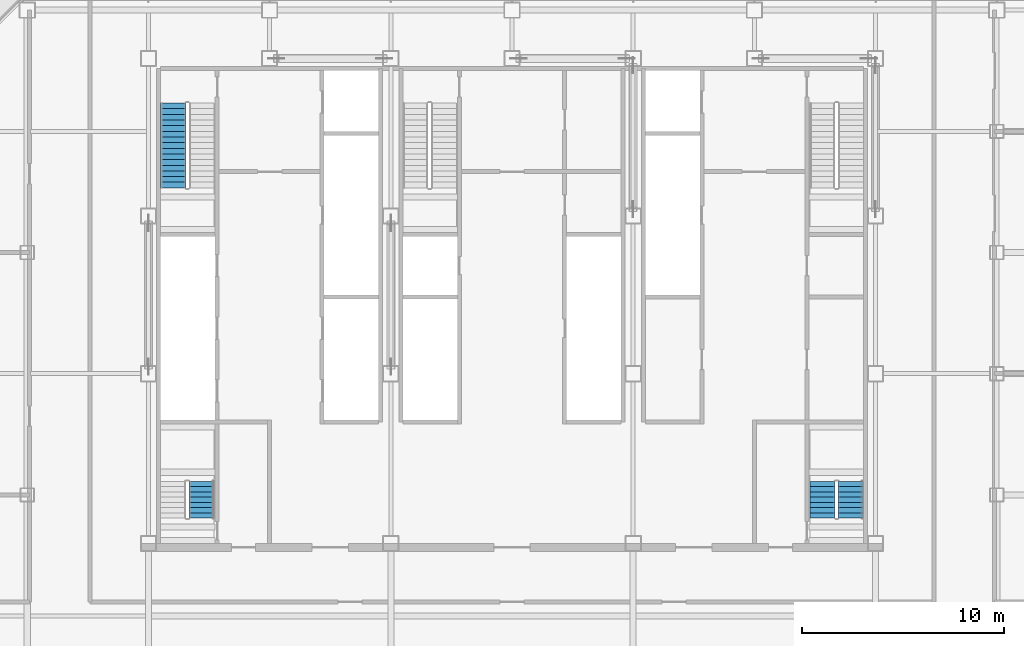
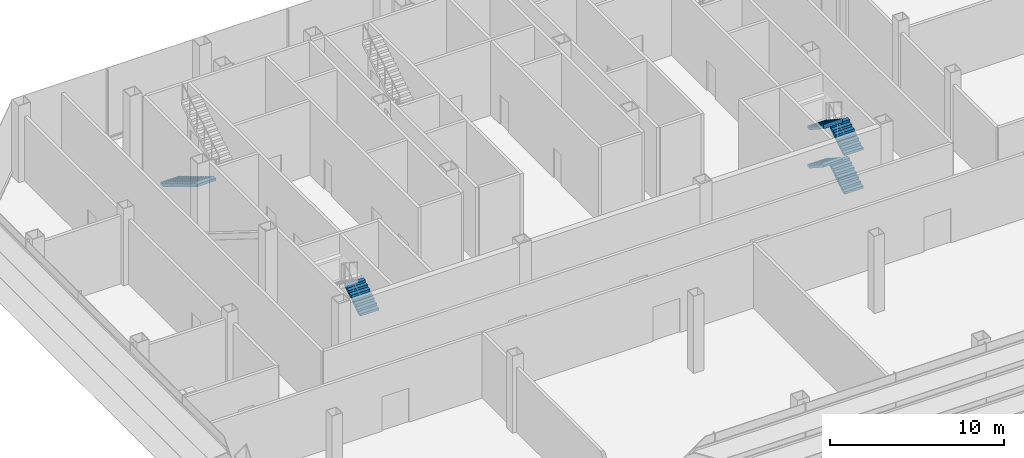
# One storey, part 19 of 23: 6 stair flights, 3 elements without a shape of their own.
"""IFC4 building model written with IfcOpenShell, lengths in metres."""

from ifc_helpers import new_model, si_unit, direction, frame, origin, place, context, subcontext, project, spatial, polyline, outline, extrude, material, type_object, element, aggregate, save


model = new_model("IFC4")

# Units and contexts
model_context = context("Model", 3, precision=1e-05, world=origin(), true_north=direction((0.0, 1.0)))
body_context = subcontext(model_context, "Body", "Model", "MODEL_VIEW")
ifc_project = project(units=[si_unit("LENGTHUNIT", "METRE"), si_unit("AREAUNIT", "SQUARE_METRE"), si_unit("VOLUMEUNIT", "CUBIC_METRE"), si_unit("PLANEANGLEUNIT", "RADIAN"), si_unit("MASSUNIT", "GRAM", prefix="KILO")], contexts=[model_context])

# Site, building, storey
site_placement = place(None, origin())
site = spatial("IfcSite", under=ifc_project, at=site_placement, CompositionType="ELEMENT")
building_placement = place(site_placement, origin())
building = spatial("IfcBuilding", under=site, at=building_placement, Name="Sorahane Residences", CompositionType="ELEMENT")
storey_placement = place(building_placement, frame((0.0, 0.0, 114.199951171875)))
storey = spatial("IfcBuildingStorey", under=building, at=storey_placement, Name="L25", CompositionType="ELEMENT", Elevation=114.199951171875)

# Stair, stair flight
ifc_material_1 = material(Name="Concrete C40", Category="concrete")
stair_type = type_object("IfcStairType", Name="Dog-leg stair 1250 Concrete C40", PredefinedType="HALF_TURN_STAIR", material=ifc_material_1)
stair_1_placement = place(storey_placement, origin())
stair_1 = element("IfcStair", 1, at=stair_1_placement, inside=storey, type_object=stair_type, Name="L25 Stair S1", PredefinedType="HALF_TURN_STAIR")
ifc_material_2 = material(Name="Concrete C40", Category="concrete")
stair_flight_type = type_object("IfcStairFlightType", Name="Stair flight 1250 Concrete C40", PredefinedType="STRAIGHT", material=ifc_material_2)
stair_flight_1_placement = place(storey_placement, frame((7.22509765625, 43.39990234375, 0.0), z_axis=(0.0, 0.0, 1.0), x_axis=(0.0, -1.0, 0.0)))
stair_flight_1 = element("IfcStairFlight", 2, at=stair_flight_1_placement, type_object=stair_flight_type, Name="S1 flight 1", NumberOfRisers=16, NumberOfTreads=15, PredefinedType="STRAIGHT", RiserHeight=0.16875, TreadLength=0.28, context=body_context, shape_type="SweptSolid", body=[
    extrude(outline(polyline([(-0.00146484375, 0.0), (-0.00146484375, 0.168701171875), (0.0, 0.168701171875), (0.280029296875, 0.168701171875), (0.280029296875, 0.33740234375), (0.56005859375, 0.33740234375), (0.56005859375, 0.50634765625), (0.840087890625, 0.50634765625), (0.840087890625, 0.675048828125), (1.1201171875, 0.675048828125), (1.1201171875, 0.84375), (1.39990234375, 0.84375), (1.39990234375, 1.012451171875), (1.679931640625, 1.012451171875), (1.679931640625, 1.18115234375), (1.9599609375, 1.18115234375), (1.9599609375, 1.35009765625), (2.239990234375, 1.35009765625), (2.239990234375, 1.518798828125), (2.52001953125, 1.518798828125), (2.52001953125, 1.6875), (2.800048828125, 1.6875), (2.800048828125, 1.856201171875), (3.080078125, 1.856201171875), (3.080078125, 2.02490234375), (3.360107421875, 2.02490234375), (3.360107421875, 2.19384765625), (3.639892578125, 2.19384765625), (3.639892578125, 2.362548828125), (3.919921875, 2.362548828125), (3.919921875, 2.53125), (4.199951171875, 2.53125), (4.199951171875, 2.699951171875), (4.199951171875, 2.356201171875), (3.969970703125, 2.217529296875), (3.739990234375, 2.0791015625), (3.510009765625, 1.9404296875), (3.280029296875, 1.8017578125), (3.050048828125, 1.663330078125), (2.820068359375, 1.524658203125), (2.590087890625, 1.385986328125), (2.360107421875, 1.247314453125), (2.130126953125, 1.10888671875), (1.900146484375, 0.97021484375), (1.670166015625, 0.83154296875), (1.440185546875, 0.693115234375), (1.210205078125, 0.554443359375), (0.980224609375, 0.415771484375), (0.750244140625, 0.277099609375), (0.520263671875, 0.138671875), (0.29052734375, 0.0), (-0.00146484375, 0.0)])), frame((0.0, 0.625, 0.0), z_axis=(0.0, -1.0, 0.0), x_axis=(1.0, 0.0, 0.0)), (0.0, 0.0, 1.0), 1.25),
])
aggregate(stair_1, [stair_flight_1])

stair_2_placement = place(storey_placement, origin())
stair_2 = element("IfcStair", 3, at=stair_2_placement, inside=storey, type_object=stair_type, Name="L25 Stair S4", PredefinedType="HALF_TURN_STAIR")
stair_flight_2_placement = place(storey_placement, frame((8.625, 22.85009765625, 2.699951171875), z_axis=(0.0, 0.0, 1.0), x_axis=(0.0, 1.0, 0.0)))
stair_flight_2 = element("IfcStairFlight", 4, at=stair_flight_2_placement, type_object=stair_flight_type, Name="S4 flight 3", NumberOfRisers=8, NumberOfTreads=7, PredefinedType="STRAIGHT", RiserHeight=0.16875, TreadLength=0.26, context=body_context, shape_type="SweptSolid", body=[
    extrude(outline(polyline([(0.0, 0.0), (0.0, 0.002197265625), (0.0, 0.004150390625), (0.0, 0.00634765625), (0.0, 0.00830078125), (0.0, 0.010498046875), (0.0, 0.012451171875), (0.0, 0.0146484375), (0.0, 0.0166015625), (0.0, 0.018798828125), (0.0, 0.020751953125), (0.0, 0.02294921875), (0.0, 0.02490234375), (0.0, 0.027099609375), (0.0, 0.029052734375), (0.0, 0.03125), (0.0, 0.033447265625), (0.0, 0.035400390625), (0.0, 0.03759765625), (0.0, 0.03955078125), (0.0, 0.041748046875), (0.0, 0.043701171875), (0.0, 0.0458984375), (0.0, 0.0478515625), (0.0, 0.050048828125), (0.0, 0.052001953125), (0.0, 0.05419921875), (0.0, 0.05615234375), (0.0, 0.058349609375), (0.0, 0.060302734375), (0.0, 0.0625), (0.0, 0.064697265625), (0.0, 0.066650390625), (0.0, 0.06884765625), (0.0, 0.07080078125), (0.0, 0.072998046875), (0.0, 0.074951171875), (0.0, 0.0771484375), (0.0, 0.0791015625), (0.0, 0.081298828125), (0.0, 0.083251953125), (0.0, 0.08544921875), (0.0, 0.08740234375), (0.0, 0.089599609375), (0.0, 0.091552734375), (0.0, 0.09375), (0.0, 0.095947265625), (0.0, 0.097900390625), (0.0, 0.10009765625), (0.0, 0.10205078125), (0.0, 0.104248046875), (0.0, 0.106201171875), (0.0, 0.1083984375), (0.0, 0.1103515625), (0.0, 0.112548828125), (0.0, 0.114501953125), (0.0, 0.11669921875), (0.0, 0.11865234375), (0.0, 0.120849609375), (0.0, 0.122802734375), (0.0, 0.125), (0.0, 0.127197265625), (0.0, 0.129150390625), (0.0, 0.13134765625), (0.0, 0.13330078125), (0.0, 0.135498046875), (0.0, 0.137451171875), (0.0, 0.1396484375), (0.0, 0.1416015625), (0.0, 0.143798828125), (0.0, 0.145751953125), (0.0, 0.14794921875), (0.0, 0.14990234375), (0.0, 0.152099609375), (0.0, 0.154052734375), (0.0, 0.15625), (0.0, 0.158447265625), (0.0, 0.160400390625), (0.0, 0.16259765625), (0.0, 0.16455078125), (0.0, 0.166748046875), (0.0, 0.168701171875), (0.260009765625, 0.168701171875), (0.260009765625, 0.33740234375), (0.52001953125, 0.33740234375), (0.52001953125, 0.50634765625), (0.780029296875, 0.50634765625), (0.780029296875, 0.675048828125), (1.0400390625, 0.675048828125), (1.0400390625, 0.84375), (1.300048828125, 0.84375), (1.300048828125, 1.012451171875), (1.56005859375, 1.012451171875), (1.56005859375, 1.18115234375), (1.820068359375, 1.18115234375), (1.820068359375, 1.35009765625), (1.820068359375, 1.34619140625), (1.820068359375, 1.34228515625), (1.820068359375, 1.33837890625), (1.820068359375, 1.334716796875), (1.820068359375, 1.330810546875), (1.820068359375, 1.326904296875), (1.820068359375, 1.322998046875), (1.820068359375, 1.319091796875), (1.820068359375, 1.3154296875), (1.820068359375, 1.3115234375), (1.820068359375, 1.3076171875), (1.820068359375, 1.3037109375), (1.820068359375, 1.300048828125), (1.820068359375, 1.296142578125), (1.820068359375, 1.292236328125), (1.820068359375, 1.288330078125), (1.820068359375, 1.284423828125), (1.820068359375, 1.28076171875), (1.820068359375, 1.27685546875), (1.820068359375, 1.27294921875), (1.820068359375, 1.26904296875), (1.820068359375, 1.265380859375), (1.820068359375, 1.261474609375), (1.820068359375, 1.257568359375), (1.820068359375, 1.253662109375), (1.820068359375, 1.249755859375), (1.820068359375, 1.24609375), (1.820068359375, 1.2421875), (1.820068359375, 1.23828125), (1.820068359375, 1.234375), (1.820068359375, 1.230712890625), (1.820068359375, 1.226806640625), (1.820068359375, 1.222900390625), (1.820068359375, 1.218994140625), (1.820068359375, 1.215087890625), (1.820068359375, 1.21142578125), (1.820068359375, 1.20751953125), (1.820068359375, 1.20361328125), (1.820068359375, 1.19970703125), (1.820068359375, 1.196044921875), (1.820068359375, 1.192138671875), (1.820068359375, 1.188232421875), (1.820068359375, 1.184326171875), (1.820068359375, 1.1806640625), (1.820068359375, 1.1767578125), (1.820068359375, 1.1728515625), (1.820068359375, 1.1689453125), (1.820068359375, 1.1650390625), (1.820068359375, 1.161376953125), (1.820068359375, 1.157470703125), (1.820068359375, 1.153564453125), (1.820068359375, 1.149658203125), (1.820068359375, 1.14599609375), (1.820068359375, 1.14208984375), (1.820068359375, 1.13818359375), (1.820068359375, 1.13427734375), (1.820068359375, 1.13037109375), (1.820068359375, 1.126708984375), (1.820068359375, 1.122802734375), (1.820068359375, 1.118896484375), (1.820068359375, 1.114990234375), (1.820068359375, 1.111328125), (1.820068359375, 1.107421875), (1.820068359375, 1.103515625), (1.820068359375, 1.099609375), (1.820068359375, 1.095703125), (1.820068359375, 1.092041015625), (1.820068359375, 1.088134765625), (1.820068359375, 1.084228515625), (1.820068359375, 1.080322265625), (1.820068359375, 1.07666015625), (1.820068359375, 1.07275390625), (1.820068359375, 1.06884765625), (1.820068359375, 1.06494140625), (1.820068359375, 1.061279296875), (1.820068359375, 1.057373046875), (1.820068359375, 1.053466796875), (1.820068359375, 1.049560546875), (1.820068359375, 1.045654296875), (1.820068359375, 1.0419921875), (1.820068359375, 1.0380859375), (1.6201171875, 0.908203125), (1.420166015625, 0.778564453125), (1.22021484375, 0.648681640625), (1.020263671875, 0.51904296875), (0.8203125, 0.38916015625), (0.620361328125, 0.259521484375), (0.420654296875, 0.129638671875), (0.220703125, 0.0), (0.0, 0.0)])), frame((0.0, 0.625, 0.0), z_axis=(0.0, -1.0, 0.0), x_axis=(1.0, 0.0, 0.0)), (0.0, 0.0, 1.0), 1.25),
])
aggregate(stair_2, [stair_flight_2])

# Stair, stair flights
stair_3_placement = place(storey_placement, origin())
stair_3 = element("IfcStair", 5, at=stair_3_placement, inside=storey, type_object=stair_type, Name="L25 Stair S5", PredefinedType="HALF_TURN_STAIR")
stair_flight_3_placement = place(storey_placement, frame((40.77490234375, 22.85009765625, 0.0), z_axis=(0.0, 0.0, 1.0), x_axis=(0.0, 1.0, 0.0)))
stair_flight_3 = element("IfcStairFlight", 6, at=stair_flight_3_placement, type_object=stair_flight_type, Name="S5 flight 1", NumberOfRisers=8, NumberOfTreads=7, PredefinedType="STRAIGHT", RiserHeight=0.16875, TreadLength=0.26, context=body_context, shape_type="SweptSolid", body=[
    extrude(outline(polyline([(-0.00146484375, 0.0), (-0.00146484375, 0.002197265625), (-0.00146484375, 0.004150390625), (-0.00146484375, 0.00634765625), (-0.00146484375, 0.00830078125), (-0.00146484375, 0.010498046875), (-0.00146484375, 0.012451171875), (-0.00146484375, 0.0146484375), (-0.00146484375, 0.0166015625), (-0.00146484375, 0.018798828125), (-0.00146484375, 0.020751953125), (-0.00146484375, 0.02294921875), (-0.00146484375, 0.02490234375), (-0.00146484375, 0.027099609375), (-0.00146484375, 0.029052734375), (-0.00146484375, 0.03125), (-0.00146484375, 0.033447265625), (-0.00146484375, 0.035400390625), (-0.00146484375, 0.03759765625), (-0.00146484375, 0.03955078125), (-0.00146484375, 0.041748046875), (-0.00146484375, 0.043701171875), (-0.00146484375, 0.0458984375), (-0.00146484375, 0.0478515625), (-0.00146484375, 0.050048828125), (-0.00146484375, 0.052001953125), (-0.00146484375, 0.05419921875), (-0.00146484375, 0.05615234375), (-0.00146484375, 0.058349609375), (-0.00146484375, 0.060302734375), (-0.00146484375, 0.0625), (-0.00146484375, 0.064697265625), (-0.00146484375, 0.066650390625), (-0.00146484375, 0.06884765625), (-0.00146484375, 0.07080078125), (-0.00146484375, 0.072998046875), (-0.00146484375, 0.074951171875), (-0.00146484375, 0.0771484375), (-0.00146484375, 0.0791015625), (-0.00146484375, 0.081298828125), (-0.00146484375, 0.083251953125), (-0.00146484375, 0.08544921875), (-0.00146484375, 0.08740234375), (-0.00146484375, 0.089599609375), (-0.00146484375, 0.091552734375), (-0.00146484375, 0.09375), (-0.00146484375, 0.095947265625), (-0.00146484375, 0.097900390625), (-0.00146484375, 0.10009765625), (-0.00146484375, 0.10205078125), (-0.00146484375, 0.104248046875), (-0.00146484375, 0.106201171875), (-0.00146484375, 0.1083984375), (-0.00146484375, 0.1103515625), (-0.00146484375, 0.112548828125), (-0.00146484375, 0.114501953125), (-0.00146484375, 0.11669921875), (-0.00146484375, 0.11865234375), (-0.00146484375, 0.120849609375), (-0.00146484375, 0.122802734375), (-0.00146484375, 0.125), (-0.00146484375, 0.127197265625), (-0.00146484375, 0.129150390625), (-0.00146484375, 0.13134765625), (-0.00146484375, 0.13330078125), (-0.00146484375, 0.135498046875), (-0.00146484375, 0.137451171875), (-0.00146484375, 0.1396484375), (-0.00146484375, 0.1416015625), (-0.00146484375, 0.143798828125), (-0.00146484375, 0.145751953125), (-0.00146484375, 0.14794921875), (-0.00146484375, 0.14990234375), (-0.00146484375, 0.152099609375), (-0.00146484375, 0.154052734375), (-0.00146484375, 0.15625), (-0.00146484375, 0.158447265625), (-0.00146484375, 0.160400390625), (-0.00146484375, 0.16259765625), (-0.00146484375, 0.16455078125), (-0.00146484375, 0.166748046875), (-0.00146484375, 0.168701171875), (0.0, 0.168701171875), (0.260009765625, 0.168701171875), (0.260009765625, 0.33740234375), (0.52001953125, 0.33740234375), (0.52001953125, 0.50634765625), (0.780029296875, 0.50634765625), (0.780029296875, 0.675048828125), (1.0400390625, 0.675048828125), (1.0400390625, 0.84375), (1.300048828125, 0.84375), (1.300048828125, 1.012451171875), (1.56005859375, 1.012451171875), (1.56005859375, 1.18115234375), (1.820068359375, 1.18115234375), (1.820068359375, 1.35009765625), (1.820068359375, 1.34619140625), (1.820068359375, 1.34228515625), (1.820068359375, 1.33837890625), (1.820068359375, 1.334716796875), (1.820068359375, 1.330810546875), (1.820068359375, 1.326904296875), (1.820068359375, 1.322998046875), (1.820068359375, 1.319091796875), (1.820068359375, 1.3154296875), (1.820068359375, 1.3115234375), (1.820068359375, 1.3076171875), (1.820068359375, 1.3037109375), (1.820068359375, 1.300048828125), (1.820068359375, 1.296142578125), (1.820068359375, 1.292236328125), (1.820068359375, 1.288330078125), (1.820068359375, 1.284423828125), (1.820068359375, 1.28076171875), (1.820068359375, 1.27685546875), (1.820068359375, 1.27294921875), (1.820068359375, 1.26904296875), (1.820068359375, 1.265380859375), (1.820068359375, 1.261474609375), (1.820068359375, 1.257568359375), (1.820068359375, 1.253662109375), (1.820068359375, 1.249755859375), (1.820068359375, 1.24609375), (1.820068359375, 1.2421875), (1.820068359375, 1.23828125), (1.820068359375, 1.234375), (1.820068359375, 1.230712890625), (1.820068359375, 1.226806640625), (1.820068359375, 1.222900390625), (1.820068359375, 1.218994140625), (1.820068359375, 1.215087890625), (1.820068359375, 1.21142578125), (1.820068359375, 1.20751953125), (1.820068359375, 1.20361328125), (1.820068359375, 1.19970703125), (1.820068359375, 1.196044921875), (1.820068359375, 1.192138671875), (1.820068359375, 1.188232421875), (1.820068359375, 1.184326171875), (1.820068359375, 1.1806640625), (1.820068359375, 1.1767578125), (1.820068359375, 1.1728515625), (1.820068359375, 1.1689453125), (1.820068359375, 1.1650390625), (1.820068359375, 1.161376953125), (1.820068359375, 1.157470703125), (1.820068359375, 1.153564453125), (1.820068359375, 1.149658203125), (1.820068359375, 1.14599609375), (1.820068359375, 1.14208984375), (1.820068359375, 1.13818359375), (1.820068359375, 1.13427734375), (1.820068359375, 1.13037109375), (1.820068359375, 1.126708984375), (1.820068359375, 1.122802734375), (1.820068359375, 1.118896484375), (1.820068359375, 1.114990234375), (1.820068359375, 1.111328125), (1.820068359375, 1.107421875), (1.820068359375, 1.103515625), (1.820068359375, 1.099609375), (1.820068359375, 1.095703125), (1.820068359375, 1.092041015625), (1.820068359375, 1.088134765625), (1.820068359375, 1.084228515625), (1.820068359375, 1.080322265625), (1.820068359375, 1.07666015625), (1.820068359375, 1.07275390625), (1.820068359375, 1.06884765625), (1.820068359375, 1.06494140625), (1.820068359375, 1.061279296875), (1.820068359375, 1.057373046875), (1.820068359375, 1.053466796875), (1.820068359375, 1.049560546875), (1.820068359375, 1.045654296875), (1.820068359375, 1.0419921875), (1.820068359375, 1.0380859375), (1.642333984375, 0.922607421875), (1.464599609375, 0.807373046875), (1.286865234375, 0.692138671875), (1.109130859375, 0.57666015625), (0.931396484375, 0.46142578125), (0.753662109375, 0.345947265625), (0.575927734375, 0.230712890625), (0.3984375, 0.115234375), (0.220703125, 0.0), (-0.00146484375, 0.0)])), frame((0.0, 0.625, 0.0), z_axis=(0.0, -1.0, 0.0), x_axis=(1.0, 0.0, 0.0)), (0.0, 0.0, 1.0), 1.25),
])
stair_flight_4_placement = place(storey_placement, frame((39.375, 24.669921875, 1.35009765625), z_axis=(0.0, 0.0, 1.0), x_axis=(0.0, -1.0, 0.0)))
stair_flight_4 = element("IfcStairFlight", 7, at=stair_flight_4_placement, type_object=stair_flight_type, Name="S5 flight 2", NumberOfRisers=8, NumberOfTreads=7, PredefinedType="STRAIGHT", RiserHeight=0.16875, TreadLength=0.26, context=body_context, shape_type="SweptSolid", body=[
    extrude(outline(polyline([(0.0, 0.0), (0.0, 0.002197265625), (0.0, 0.004150390625), (0.0, 0.00634765625), (0.0, 0.00830078125), (0.0, 0.010498046875), (0.0, 0.012451171875), (0.0, 0.0146484375), (0.0, 0.0166015625), (0.0, 0.018798828125), (0.0, 0.020751953125), (0.0, 0.02294921875), (0.0, 0.02490234375), (0.0, 0.027099609375), (0.0, 0.029052734375), (0.0, 0.03125), (0.0, 0.033447265625), (0.0, 0.035400390625), (0.0, 0.03759765625), (0.0, 0.03955078125), (0.0, 0.041748046875), (0.0, 0.043701171875), (0.0, 0.0458984375), (0.0, 0.0478515625), (0.0, 0.050048828125), (0.0, 0.052001953125), (0.0, 0.05419921875), (0.0, 0.05615234375), (0.0, 0.058349609375), (0.0, 0.060302734375), (0.0, 0.0625), (0.0, 0.064697265625), (0.0, 0.066650390625), (0.0, 0.06884765625), (0.0, 0.07080078125), (0.0, 0.072998046875), (0.0, 0.074951171875), (0.0, 0.0771484375), (0.0, 0.0791015625), (0.0, 0.081298828125), (0.0, 0.083251953125), (0.0, 0.08544921875), (0.0, 0.08740234375), (0.0, 0.089599609375), (0.0, 0.091552734375), (0.0, 0.09375), (0.0, 0.095947265625), (0.0, 0.097900390625), (0.0, 0.10009765625), (0.0, 0.10205078125), (0.0, 0.104248046875), (0.0, 0.106201171875), (0.0, 0.1083984375), (0.0, 0.1103515625), (0.0, 0.112548828125), (0.0, 0.114501953125), (0.0, 0.11669921875), (0.0, 0.11865234375), (0.0, 0.120849609375), (0.0, 0.122802734375), (0.0, 0.125), (0.0, 0.127197265625), (0.0, 0.129150390625), (0.0, 0.13134765625), (0.0, 0.13330078125), (0.0, 0.135498046875), (0.0, 0.137451171875), (0.0, 0.1396484375), (0.0, 0.1416015625), (0.0, 0.143798828125), (0.0, 0.145751953125), (0.0, 0.14794921875), (0.0, 0.14990234375), (0.0, 0.152099609375), (0.0, 0.154052734375), (0.0, 0.15625), (0.0, 0.158447265625), (0.0, 0.160400390625), (0.0, 0.16259765625), (0.0, 0.16455078125), (0.0, 0.166748046875), (0.0, 0.168701171875), (0.260009765625, 0.168701171875), (0.260009765625, 0.33740234375), (0.52001953125, 0.33740234375), (0.52001953125, 0.50634765625), (0.780029296875, 0.50634765625), (0.780029296875, 0.675048828125), (1.0400390625, 0.675048828125), (1.0400390625, 0.84375), (1.300048828125, 0.84375), (1.300048828125, 1.012451171875), (1.56005859375, 1.012451171875), (1.56005859375, 1.18115234375), (1.820068359375, 1.18115234375), (1.820068359375, 1.35009765625), (1.820068359375, 1.34619140625), (1.820068359375, 1.34228515625), (1.820068359375, 1.33837890625), (1.820068359375, 1.334716796875), (1.820068359375, 1.330810546875), (1.820068359375, 1.326904296875), (1.820068359375, 1.322998046875), (1.820068359375, 1.319091796875), (1.820068359375, 1.3154296875), (1.820068359375, 1.3115234375), (1.820068359375, 1.3076171875), (1.820068359375, 1.3037109375), (1.820068359375, 1.300048828125), (1.820068359375, 1.296142578125), (1.820068359375, 1.292236328125), (1.820068359375, 1.288330078125), (1.820068359375, 1.284423828125), (1.820068359375, 1.28076171875), (1.820068359375, 1.27685546875), (1.820068359375, 1.27294921875), (1.820068359375, 1.26904296875), (1.820068359375, 1.265380859375), (1.820068359375, 1.261474609375), (1.820068359375, 1.257568359375), (1.820068359375, 1.253662109375), (1.820068359375, 1.249755859375), (1.820068359375, 1.24609375), (1.820068359375, 1.2421875), (1.820068359375, 1.23828125), (1.820068359375, 1.234375), (1.820068359375, 1.230712890625), (1.820068359375, 1.226806640625), (1.820068359375, 1.222900390625), (1.820068359375, 1.218994140625), (1.820068359375, 1.215087890625), (1.820068359375, 1.21142578125), (1.820068359375, 1.20751953125), (1.820068359375, 1.20361328125), (1.820068359375, 1.19970703125), (1.820068359375, 1.196044921875), (1.820068359375, 1.192138671875), (1.820068359375, 1.188232421875), (1.820068359375, 1.184326171875), (1.820068359375, 1.1806640625), (1.820068359375, 1.1767578125), (1.820068359375, 1.1728515625), (1.820068359375, 1.1689453125), (1.820068359375, 1.1650390625), (1.820068359375, 1.161376953125), (1.820068359375, 1.157470703125), (1.820068359375, 1.153564453125), (1.820068359375, 1.149658203125), (1.820068359375, 1.14599609375), (1.820068359375, 1.14208984375), (1.820068359375, 1.13818359375), (1.820068359375, 1.13427734375), (1.820068359375, 1.13037109375), (1.820068359375, 1.126708984375), (1.820068359375, 1.122802734375), (1.820068359375, 1.118896484375), (1.820068359375, 1.114990234375), (1.820068359375, 1.111328125), (1.820068359375, 1.107421875), (1.820068359375, 1.103515625), (1.820068359375, 1.099609375), (1.820068359375, 1.095703125), (1.820068359375, 1.092041015625), (1.820068359375, 1.088134765625), (1.820068359375, 1.084228515625), (1.820068359375, 1.080322265625), (1.820068359375, 1.07666015625), (1.820068359375, 1.07275390625), (1.820068359375, 1.06884765625), (1.820068359375, 1.06494140625), (1.820068359375, 1.061279296875), (1.820068359375, 1.057373046875), (1.820068359375, 1.053466796875), (1.820068359375, 1.049560546875), (1.820068359375, 1.045654296875), (1.820068359375, 1.0419921875), (1.820068359375, 1.0380859375), (1.6201171875, 0.908203125), (1.420166015625, 0.778564453125), (1.22021484375, 0.648681640625), (1.020263671875, 0.51904296875), (0.8203125, 0.38916015625), (0.620361328125, 0.259521484375), (0.420654296875, 0.129638671875), (0.220703125, 0.0), (0.0, 0.0)])), frame((0.0, 0.625, 0.0), z_axis=(0.0, -1.0, 0.0), x_axis=(1.0, 0.0, 0.0)), (0.0, 0.0, 1.0), 1.25),
])
stair_flight_5_placement = place(storey_placement, frame((40.77490234375, 22.85009765625, 2.699951171875), z_axis=(0.0, 0.0, 1.0), x_axis=(0.0, 1.0, 0.0)))
stair_flight_5 = element("IfcStairFlight", 8, at=stair_flight_5_placement, type_object=stair_flight_type, Name="S5 flight 3", NumberOfRisers=8, NumberOfTreads=7, PredefinedType="STRAIGHT", RiserHeight=0.16875, TreadLength=0.26, context=body_context, shape_type="SweptSolid", body=[
    extrude(outline(polyline([(0.0, 0.0), (0.0, 0.002197265625), (0.0, 0.004150390625), (0.0, 0.00634765625), (0.0, 0.00830078125), (0.0, 0.010498046875), (0.0, 0.012451171875), (0.0, 0.0146484375), (0.0, 0.0166015625), (0.0, 0.018798828125), (0.0, 0.020751953125), (0.0, 0.02294921875), (0.0, 0.02490234375), (0.0, 0.027099609375), (0.0, 0.029052734375), (0.0, 0.03125), (0.0, 0.033447265625), (0.0, 0.035400390625), (0.0, 0.03759765625), (0.0, 0.03955078125), (0.0, 0.041748046875), (0.0, 0.043701171875), (0.0, 0.0458984375), (0.0, 0.0478515625), (0.0, 0.050048828125), (0.0, 0.052001953125), (0.0, 0.05419921875), (0.0, 0.05615234375), (0.0, 0.058349609375), (0.0, 0.060302734375), (0.0, 0.0625), (0.0, 0.064697265625), (0.0, 0.066650390625), (0.0, 0.06884765625), (0.0, 0.07080078125), (0.0, 0.072998046875), (0.0, 0.074951171875), (0.0, 0.0771484375), (0.0, 0.0791015625), (0.0, 0.081298828125), (0.0, 0.083251953125), (0.0, 0.08544921875), (0.0, 0.08740234375), (0.0, 0.089599609375), (0.0, 0.091552734375), (0.0, 0.09375), (0.0, 0.095947265625), (0.0, 0.097900390625), (0.0, 0.10009765625), (0.0, 0.10205078125), (0.0, 0.104248046875), (0.0, 0.106201171875), (0.0, 0.1083984375), (0.0, 0.1103515625), (0.0, 0.112548828125), (0.0, 0.114501953125), (0.0, 0.11669921875), (0.0, 0.11865234375), (0.0, 0.120849609375), (0.0, 0.122802734375), (0.0, 0.125), (0.0, 0.127197265625), (0.0, 0.129150390625), (0.0, 0.13134765625), (0.0, 0.13330078125), (0.0, 0.135498046875), (0.0, 0.137451171875), (0.0, 0.1396484375), (0.0, 0.1416015625), (0.0, 0.143798828125), (0.0, 0.145751953125), (0.0, 0.14794921875), (0.0, 0.14990234375), (0.0, 0.152099609375), (0.0, 0.154052734375), (0.0, 0.15625), (0.0, 0.158447265625), (0.0, 0.160400390625), (0.0, 0.16259765625), (0.0, 0.16455078125), (0.0, 0.166748046875), (0.0, 0.168701171875), (0.260009765625, 0.168701171875), (0.260009765625, 0.33740234375), (0.52001953125, 0.33740234375), (0.52001953125, 0.50634765625), (0.780029296875, 0.50634765625), (0.780029296875, 0.675048828125), (1.0400390625, 0.675048828125), (1.0400390625, 0.84375), (1.300048828125, 0.84375), (1.300048828125, 1.012451171875), (1.56005859375, 1.012451171875), (1.56005859375, 1.18115234375), (1.820068359375, 1.18115234375), (1.820068359375, 1.35009765625), (1.820068359375, 1.34619140625), (1.820068359375, 1.34228515625), (1.820068359375, 1.33837890625), (1.820068359375, 1.334716796875), (1.820068359375, 1.330810546875), (1.820068359375, 1.326904296875), (1.820068359375, 1.322998046875), (1.820068359375, 1.319091796875), (1.820068359375, 1.3154296875), (1.820068359375, 1.3115234375), (1.820068359375, 1.3076171875), (1.820068359375, 1.3037109375), (1.820068359375, 1.300048828125), (1.820068359375, 1.296142578125), (1.820068359375, 1.292236328125), (1.820068359375, 1.288330078125), (1.820068359375, 1.284423828125), (1.820068359375, 1.28076171875), (1.820068359375, 1.27685546875), (1.820068359375, 1.27294921875), (1.820068359375, 1.26904296875), (1.820068359375, 1.265380859375), (1.820068359375, 1.261474609375), (1.820068359375, 1.257568359375), (1.820068359375, 1.253662109375), (1.820068359375, 1.249755859375), (1.820068359375, 1.24609375), (1.820068359375, 1.2421875), (1.820068359375, 1.23828125), (1.820068359375, 1.234375), (1.820068359375, 1.230712890625), (1.820068359375, 1.226806640625), (1.820068359375, 1.222900390625), (1.820068359375, 1.218994140625), (1.820068359375, 1.215087890625), (1.820068359375, 1.21142578125), (1.820068359375, 1.20751953125), (1.820068359375, 1.20361328125), (1.820068359375, 1.19970703125), (1.820068359375, 1.196044921875), (1.820068359375, 1.192138671875), (1.820068359375, 1.188232421875), (1.820068359375, 1.184326171875), (1.820068359375, 1.1806640625), (1.820068359375, 1.1767578125), (1.820068359375, 1.1728515625), (1.820068359375, 1.1689453125), (1.820068359375, 1.1650390625), (1.820068359375, 1.161376953125), (1.820068359375, 1.157470703125), (1.820068359375, 1.153564453125), (1.820068359375, 1.149658203125), (1.820068359375, 1.14599609375), (1.820068359375, 1.14208984375), (1.820068359375, 1.13818359375), (1.820068359375, 1.13427734375), (1.820068359375, 1.13037109375), (1.820068359375, 1.126708984375), (1.820068359375, 1.122802734375), (1.820068359375, 1.118896484375), (1.820068359375, 1.114990234375), (1.820068359375, 1.111328125), (1.820068359375, 1.107421875), (1.820068359375, 1.103515625), (1.820068359375, 1.099609375), (1.820068359375, 1.095703125), (1.820068359375, 1.092041015625), (1.820068359375, 1.088134765625), (1.820068359375, 1.084228515625), (1.820068359375, 1.080322265625), (1.820068359375, 1.07666015625), (1.820068359375, 1.07275390625), (1.820068359375, 1.06884765625), (1.820068359375, 1.06494140625), (1.820068359375, 1.061279296875), (1.820068359375, 1.057373046875), (1.820068359375, 1.053466796875), (1.820068359375, 1.049560546875), (1.820068359375, 1.045654296875), (1.820068359375, 1.0419921875), (1.820068359375, 1.0380859375), (1.6201171875, 0.908203125), (1.420166015625, 0.778564453125), (1.22021484375, 0.648681640625), (1.020263671875, 0.51904296875), (0.8203125, 0.38916015625), (0.620361328125, 0.259521484375), (0.420654296875, 0.129638671875), (0.220703125, 0.0), (0.0, 0.0)])), frame((0.0, 0.625, 0.0), z_axis=(0.0, -1.0, 0.0), x_axis=(1.0, 0.0, 0.0)), (0.0, 0.0, 1.0), 1.25),
])
stair_flight_6_placement = place(storey_placement, frame((39.375, 24.669921875, 4.050048828125), z_axis=(0.0, 0.0, 1.0), x_axis=(0.0, -1.0, 0.0)))
stair_flight_6 = element("IfcStairFlight", 9, at=stair_flight_6_placement, type_object=stair_flight_type, Name="S5 flight 4", NumberOfRisers=8, NumberOfTreads=7, PredefinedType="STRAIGHT", RiserHeight=0.16875, TreadLength=0.26, context=body_context, shape_type="SweptSolid", body=[
    extrude(outline(polyline([(0.0, 0.0), (0.0, 0.002197265625), (0.0, 0.004150390625), (0.0, 0.00634765625), (0.0, 0.00830078125), (0.0, 0.010498046875), (0.0, 0.012451171875), (0.0, 0.0146484375), (0.0, 0.0166015625), (0.0, 0.018798828125), (0.0, 0.020751953125), (0.0, 0.02294921875), (0.0, 0.02490234375), (0.0, 0.027099609375), (0.0, 0.029052734375), (0.0, 0.03125), (0.0, 0.033447265625), (0.0, 0.035400390625), (0.0, 0.03759765625), (0.0, 0.03955078125), (0.0, 0.041748046875), (0.0, 0.043701171875), (0.0, 0.0458984375), (0.0, 0.0478515625), (0.0, 0.050048828125), (0.0, 0.052001953125), (0.0, 0.05419921875), (0.0, 0.05615234375), (0.0, 0.058349609375), (0.0, 0.060302734375), (0.0, 0.0625), (0.0, 0.064697265625), (0.0, 0.066650390625), (0.0, 0.06884765625), (0.0, 0.07080078125), (0.0, 0.072998046875), (0.0, 0.074951171875), (0.0, 0.0771484375), (0.0, 0.0791015625), (0.0, 0.081298828125), (0.0, 0.083251953125), (0.0, 0.08544921875), (0.0, 0.08740234375), (0.0, 0.089599609375), (0.0, 0.091552734375), (0.0, 0.09375), (0.0, 0.095947265625), (0.0, 0.097900390625), (0.0, 0.10009765625), (0.0, 0.10205078125), (0.0, 0.104248046875), (0.0, 0.106201171875), (0.0, 0.1083984375), (0.0, 0.1103515625), (0.0, 0.112548828125), (0.0, 0.114501953125), (0.0, 0.11669921875), (0.0, 0.11865234375), (0.0, 0.120849609375), (0.0, 0.122802734375), (0.0, 0.125), (0.0, 0.127197265625), (0.0, 0.129150390625), (0.0, 0.13134765625), (0.0, 0.13330078125), (0.0, 0.135498046875), (0.0, 0.137451171875), (0.0, 0.1396484375), (0.0, 0.1416015625), (0.0, 0.143798828125), (0.0, 0.145751953125), (0.0, 0.14794921875), (0.0, 0.14990234375), (0.0, 0.152099609375), (0.0, 0.154052734375), (0.0, 0.15625), (0.0, 0.158447265625), (0.0, 0.160400390625), (0.0, 0.16259765625), (0.0, 0.16455078125), (0.0, 0.166748046875), (0.0, 0.168701171875), (0.260009765625, 0.168701171875), (0.260009765625, 0.33740234375), (0.52001953125, 0.33740234375), (0.52001953125, 0.50634765625), (0.780029296875, 0.50634765625), (0.780029296875, 0.675048828125), (1.0400390625, 0.675048828125), (1.0400390625, 0.84375), (1.300048828125, 0.84375), (1.300048828125, 1.012451171875), (1.56005859375, 1.012451171875), (1.56005859375, 1.18115234375), (1.820068359375, 1.18115234375), (1.820068359375, 1.35009765625), (1.821533203125, 1.35009765625), (1.821533203125, 1.34619140625), (1.821533203125, 1.34228515625), (1.821533203125, 1.33837890625), (1.821533203125, 1.334716796875), (1.821533203125, 1.330810546875), (1.821533203125, 1.326904296875), (1.821533203125, 1.322998046875), (1.821533203125, 1.319091796875), (1.821533203125, 1.3154296875), (1.821533203125, 1.3115234375), (1.821533203125, 1.3076171875), (1.821533203125, 1.3037109375), (1.821533203125, 1.300048828125), (1.821533203125, 1.296142578125), (1.821533203125, 1.292236328125), (1.821533203125, 1.288330078125), (1.821533203125, 1.284423828125), (1.821533203125, 1.28076171875), (1.821533203125, 1.27685546875), (1.821533203125, 1.27294921875), (1.821533203125, 1.26904296875), (1.821533203125, 1.265380859375), (1.821533203125, 1.261474609375), (1.821533203125, 1.257568359375), (1.821533203125, 1.253662109375), (1.821533203125, 1.249755859375), (1.821533203125, 1.24609375), (1.821533203125, 1.2421875), (1.821533203125, 1.23828125), (1.821533203125, 1.234375), (1.821533203125, 1.230712890625), (1.821533203125, 1.226806640625), (1.821533203125, 1.222900390625), (1.821533203125, 1.218994140625), (1.821533203125, 1.215087890625), (1.821533203125, 1.21142578125), (1.821533203125, 1.20751953125), (1.821533203125, 1.20361328125), (1.821533203125, 1.19970703125), (1.821533203125, 1.196044921875), (1.821533203125, 1.192138671875), (1.821533203125, 1.188232421875), (1.821533203125, 1.184326171875), (1.821533203125, 1.1806640625), (1.821533203125, 1.1767578125), (1.821533203125, 1.1728515625), (1.821533203125, 1.1689453125), (1.821533203125, 1.1650390625), (1.821533203125, 1.161376953125), (1.821533203125, 1.157470703125), (1.821533203125, 1.153564453125), (1.821533203125, 1.149658203125), (1.821533203125, 1.14599609375), (1.821533203125, 1.14208984375), (1.821533203125, 1.13818359375), (1.821533203125, 1.13427734375), (1.821533203125, 1.13037109375), (1.821533203125, 1.126708984375), (1.821533203125, 1.122802734375), (1.821533203125, 1.118896484375), (1.821533203125, 1.114990234375), (1.821533203125, 1.111328125), (1.821533203125, 1.107421875), (1.821533203125, 1.103515625), (1.821533203125, 1.099609375), (1.821533203125, 1.095703125), (1.821533203125, 1.092041015625), (1.821533203125, 1.088134765625), (1.821533203125, 1.084228515625), (1.821533203125, 1.080322265625), (1.821533203125, 1.07666015625), (1.821533203125, 1.07275390625), (1.821533203125, 1.06884765625), (1.821533203125, 1.06494140625), (1.821533203125, 1.061279296875), (1.821533203125, 1.057373046875), (1.821533203125, 1.053466796875), (1.821533203125, 1.049560546875), (1.821533203125, 1.045654296875), (1.821533203125, 1.0419921875), (1.821533203125, 1.0380859375), (1.6435546875, 0.922607421875), (1.4658203125, 0.807373046875), (1.287841796875, 0.692138671875), (1.110107421875, 0.57666015625), (0.93212890625, 0.46142578125), (0.754150390625, 0.345947265625), (0.576416015625, 0.230712890625), (0.3984375, 0.115234375), (0.220703125, 0.0), (0.0, 0.0)])), frame((0.0, 0.625, 0.0), z_axis=(0.0, -1.0, 0.0), x_axis=(1.0, 0.0, 0.0)), (0.0, 0.0, 1.0), 1.25),
])
aggregate(stair_3, [stair_flight_3, stair_flight_4, stair_flight_5, stair_flight_6])

save(model, "model.ifc")
